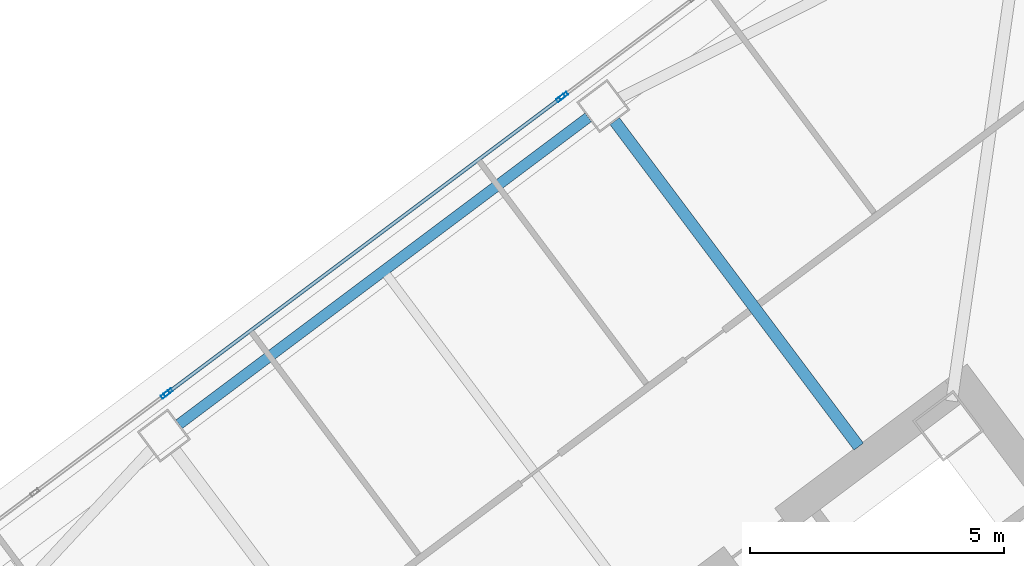
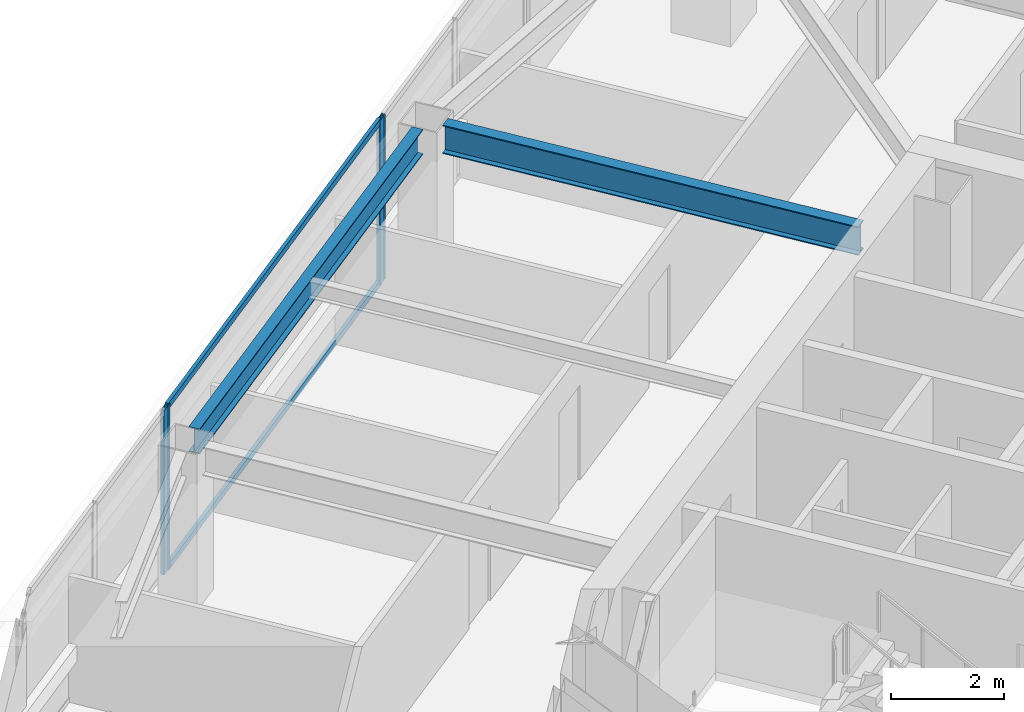
# One storey, part 27 of 43: 6 members, 2 beams, 3 elements without a shape of their own.
"""IFC4 building model written with IfcOpenShell, lengths in metres."""

from ifc_helpers import new_model, si_unit, direction, frame, origin, origin_2d, place, context, subcontext, project, spatial, hollow_rectangle, i_section, extrude, material, material_profile, profile_set, type_object, element, aggregate, save


model = new_model("IFC4")

# Units and contexts
model_context = context("Model", 3, precision=1e-05, world=origin(), true_north=direction((0.0, 1.0)))
body_context = subcontext(model_context, "Body", "Model", "MODEL_VIEW")
ifc_project = project(units=[si_unit("LENGTHUNIT", "METRE"), si_unit("AREAUNIT", "SQUARE_METRE"), si_unit("VOLUMEUNIT", "CUBIC_METRE"), si_unit("PLANEANGLEUNIT", "RADIAN"), si_unit("MASSUNIT", "GRAM", prefix="KILO")], contexts=[model_context])

# Site, building, storey
site_placement = place(None, origin())
site = spatial("IfcSite", under=ifc_project, at=site_placement, CompositionType="ELEMENT")
building_placement = place(site_placement, origin())
building = spatial("IfcBuilding", under=site, at=building_placement, Name="Tashvorn Skyway Center", CompositionType="ELEMENT")
storey_placement = place(building_placement, frame((0.0, 0.0, 160.550048828125)))
storey = spatial("IfcBuildingStorey", under=building, at=storey_placement, Name="L43", CompositionType="ELEMENT", Elevation=160.550048828125)

# Beams
ifc_material_1 = material(Name="Steel ASTM A992 Grade 50", Category="steel")
ifc_material_profile_1 = material_profile(ifc_material_1, i_section(OverallWidth=0.22998046875, OverallDepth=0.616943359375, WebThickness=0.01318359375, FlangeThickness=0.022216796875, at=origin_2d()), Name="W24X94")
ifc_profile_set_1 = profile_set([ifc_material_profile_1], Name="Steel ASTM A992 Grade 50")
beam_type_1 = type_object("IfcBeamType", Name="BM-BEAM-W24X94", PredefinedType="BEAM", material=ifc_profile_set_1)
beam_1_placement = place(storey_placement, frame((108.85205078125, 47.864013671875, 3.0615234375), z_axis=(0.60000976564, -0.799992675677, 0.0), x_axis=(0.799992675677, 0.60000976564, 0.0)))
element("IfcBeam", 1, at=beam_1_placement, inside=storey, type_object=beam_type_1, Name="Tower 2 L43 Primary Floor Girder FC-N1", PredefinedType="BEAM", context=body_context, shape_type="SweptSolid", body=[
    extrude(i_section(OverallWidth=0.22998046875, OverallDepth=0.616943359375, WebThickness=0.01318359375, FlangeThickness=0.022216796875, at=origin_2d()), origin(), (0.0, 0.0, 1.0), 8.0),
])
ifc_material_profile_2 = material_profile(ifc_material_1, i_section(OverallWidth=0.2109375, OverallDepth=0.5390625, WebThickness=0.01171875, FlangeThickness=0.018798828125, at=origin_2d()), Name="W21X73")
ifc_profile_set_2 = profile_set([ifc_material_profile_2], Name="Steel ASTM A992 Grade 50")
beam_type_2 = type_object("IfcBeamType", Name="BM-SPANDREL-W21X73", PredefinedType="SPANDREL", material=ifc_profile_set_2)
beam_2_placement = place(storey_placement, frame((108.333984375, 47.93798828125, 3.100341796875), z_axis=(-0.800008736549, -0.599988351091, 0.0), x_axis=(0.599988351091, -0.800008736549, 0.0)))
element("IfcBeam", 2, at=beam_2_placement, inside=storey, type_object=beam_type_2, Name="Tower 2 L43 Spandrel Beam 08", PredefinedType="SPANDREL", context=body_context, shape_type="SweptSolid", body=[
    extrude(i_section(OverallWidth=0.2109375, OverallDepth=0.5390625, WebThickness=0.01171875, FlangeThickness=0.018798828125, at=origin_2d()), origin(), (0.0, 0.0, 1.0), 10.06005859375),
])

# Curtain wall, member
ifc_material_2 = material(Name="Thermally broken bronze-anodized aluminium 6063-T6", Category="aluminium")
curtain_wall_type = type_object("IfcCurtainWallType", Name="CW-CW-Z4", PredefinedType="NOTDEFINED", material=ifc_material_2)
curtain_wall_1_placement = place(storey_placement, origin())
curtain_wall_1 = element("IfcCurtainWall", 3, at=curtain_wall_1_placement, inside=storey, type_object=curtain_wall_type, Name="Tower 2 L43 North Unitised Curtain Wall Glazing Group 1", PredefinedType="NOTDEFINED")
ifc_material_profile_3 = material_profile(ifc_material_2, hollow_rectangle(XDim=0.070068359375, YDim=0.179931640625, WallThickness=0.00390625, at=origin_2d()), Name="ALU-MULL-70x180")
ifc_profile_set_3 = profile_set([ifc_material_profile_3], Name="Thermally broken bronze-anodized aluminium 6063-T6")
member_type_1 = type_object("IfcMemberType", Name="CWM-CW-Z4", PredefinedType="MULLION", material=ifc_profile_set_3)
member_1_placement = place(storey_placement, frame((100.01611328125, 42.487060546875, 0.0), z_axis=(0.0, 0.0, 1.0), x_axis=(-0.600000000002, 0.799999999998, 0.0)))
member_1 = element("IfcMember", 4, at=member_1_placement, type_object=member_type_1, Name="CW-Z4 mullion 3", PredefinedType="MULLION", context=body_context, shape_type="SweptSolid", body=[
    extrude(hollow_rectangle(XDim=0.070068359375, YDim=0.179931640625, WallThickness=0.00390625, at=origin_2d()), origin(), (0.0, 0.0, 1.0), 3.550048828125),
])
aggregate(curtain_wall_1, [member_1])

# Curtain wall, members
curtain_wall_2_placement = place(storey_placement, origin())
curtain_wall_2 = element("IfcCurtainWall", 5, at=curtain_wall_2_placement, inside=storey, type_object=curtain_wall_type, Name="Tower 2 L43 North Unitised Curtain Wall Glazing Group 2", PredefinedType="NOTDEFINED")
member_2_placement = place(storey_placement, frame((100.072021484375, 42.529052734375, 0.0), z_axis=(0.0, 0.0, 1.0), x_axis=(-0.600000000002, 0.799999999998, 0.0)))
member_2 = element("IfcMember", 6, at=member_2_placement, type_object=member_type_1, Name="CW-Z4 mullion 1", PredefinedType="MULLION", context=body_context, shape_type="SweptSolid", body=[
    extrude(hollow_rectangle(XDim=0.070068359375, YDim=0.179931640625, WallThickness=0.00390625, at=origin_2d()), origin(), (0.0, 0.0, 1.0), 3.550048828125),
])
member_3_placement = place(storey_placement, frame((107.7919921875, 48.319091796875, 0.0), z_axis=(0.0, 0.0, 1.0), x_axis=(-0.600000000002, 0.799999999998, 0.0)))
member_3 = element("IfcMember", 7, at=member_3_placement, type_object=member_type_1, Name="CW-Z4 mullion 2", PredefinedType="MULLION", context=body_context, shape_type="SweptSolid", body=[
    extrude(hollow_rectangle(XDim=0.070068359375, YDim=0.179931640625, WallThickness=0.00390625, at=origin_2d()), origin(), (0.0, 0.0, 1.0), 3.550048828125),
])

# Curtain wall, member
curtain_wall_3_placement = place(storey_placement, origin())
curtain_wall_3 = element("IfcCurtainWall", 8, at=curtain_wall_3_placement, inside=storey, type_object=curtain_wall_type, Name="Tower 2 L43 North Unitised Curtain Wall Glazing Group 3", PredefinedType="NOTDEFINED")
member_4_placement = place(storey_placement, frame((107.847900390625, 48.361083984375, 0.0), z_axis=(0.0, 0.0, 1.0), x_axis=(-0.600000000002, 0.799999999998, 0.0)))
member_4 = element("IfcMember", 9, at=member_4_placement, type_object=member_type_1, Name="CW-Z4 mullion 1", PredefinedType="MULLION", context=body_context, shape_type="SweptSolid", body=[
    extrude(hollow_rectangle(XDim=0.070068359375, YDim=0.179931640625, WallThickness=0.00390625, at=origin_2d()), origin(), (0.0, 0.0, 1.0), 3.550048828125),
])
aggregate(curtain_wall_3, [member_4])

# Member
ifc_material_profile_4 = material_profile(ifc_material_2, hollow_rectangle(XDim=0.070068359375, YDim=0.1298828125, WallThickness=0.00390625, at=origin_2d()), Name="ALU-TRAN-70x130")
ifc_profile_set_4 = profile_set([ifc_material_profile_4], Name="Thermally broken bronze-anodized aluminium 6063-T6")
member_type_2 = type_object("IfcMemberType", Name="CWT-CW-Z4", PredefinedType="USERDEFINED", material=ifc_profile_set_4)
member_5_placement = place(storey_placement, frame((100.10009765625, 42.550048828125, 0.034912109375), z_axis=(0.799990825408, 0.600012232595, 0.0), x_axis=(-0.600012232595, 0.799990825408, 0.0)))
member_5 = element("IfcMember", 10, at=member_5_placement, type_object=member_type_2, Name="CW-Z4 transom 1.1", ObjectType="TRANSOM", PredefinedType="USERDEFINED", context=body_context, shape_type="SweptSolid", body=[
    extrude(hollow_rectangle(XDim=0.070068359375, YDim=0.1298828125, WallThickness=0.00390625, at=origin_2d()), origin(), (0.0, 0.0, 1.0), 9.579833984375),
])

member_6_placement = place(storey_placement, frame((100.10009765625, 42.550048828125, 3.514892578125), z_axis=(0.799990825408, 0.600012232595, 0.0), x_axis=(-0.600012232595, 0.799990825408, 0.0)))
member_6 = element("IfcMember", 11, at=member_6_placement, type_object=member_type_2, Name="CW-Z4 transom 1.2", ObjectType="TRANSOM", PredefinedType="USERDEFINED", context=body_context, shape_type="SweptSolid", body=[
    extrude(hollow_rectangle(XDim=0.070068359375, YDim=0.1298828125, WallThickness=0.00390625, at=origin_2d()), origin(), (0.0, 0.0, 1.0), 9.579833984375),
])

aggregate(curtain_wall_2, [member_2, member_3, member_5, member_6])

save(model, "model.ifc")
